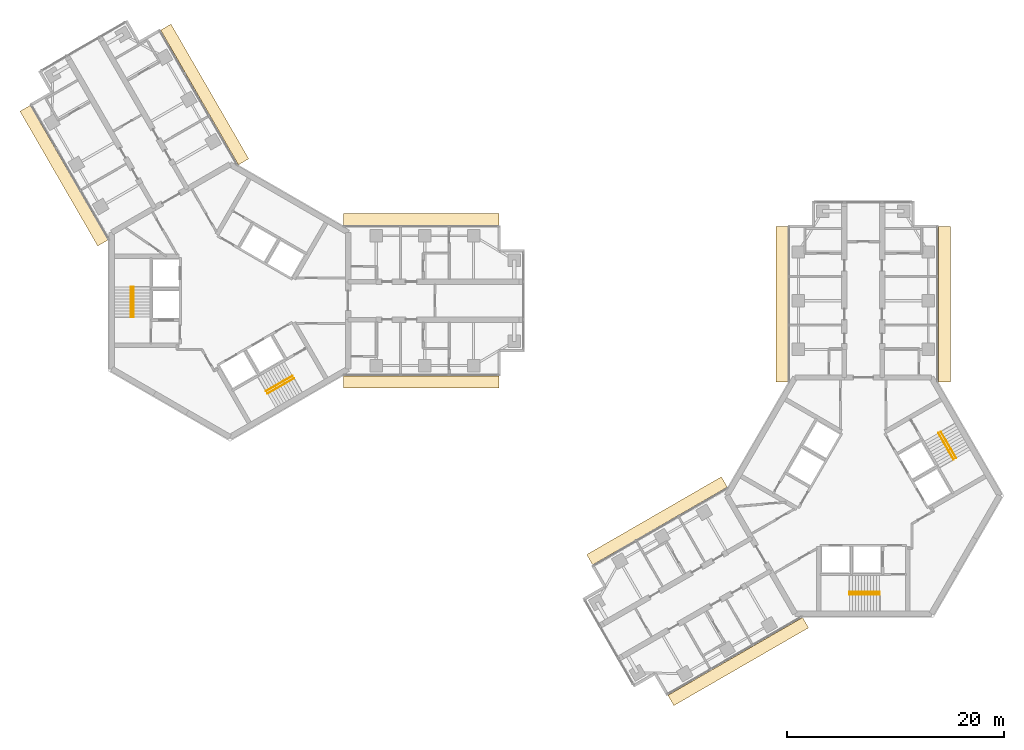
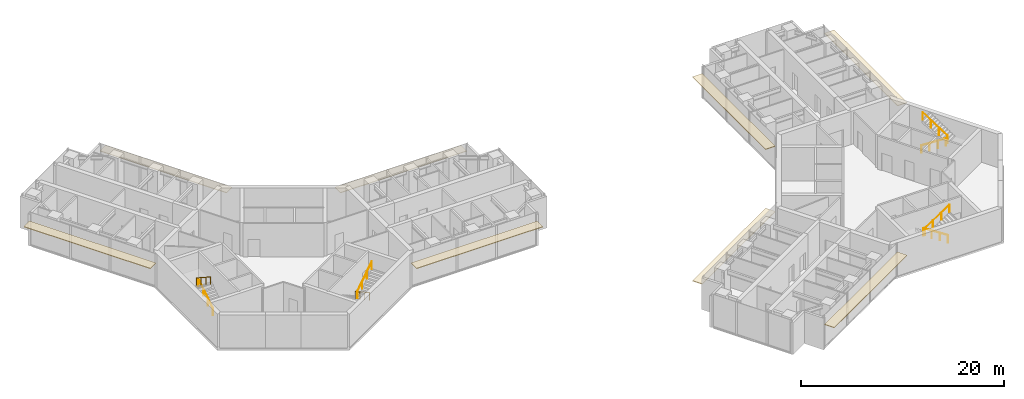
# One storey, part 17 of 17: 8 coverings, 8 railings.
"""IFC4 building model written with IfcOpenShell, lengths in metres."""

from ifc_helpers import new_model, si_unit, direction, frame, origin, origin_2d, place, context, subcontext, project, spatial, rectangle, circle, extrude, material, layer, layer_set, type_object, element, save


model = new_model("IFC4")

# Units and contexts
model_context = context("Model", 3, precision=1e-05, world=origin(), true_north=direction((0.0, 1.0)))
body_context = subcontext(model_context, "Body", "Model", "MODEL_VIEW")
ifc_project = project(units=[si_unit("LENGTHUNIT", "METRE"), si_unit("AREAUNIT", "SQUARE_METRE"), si_unit("VOLUMEUNIT", "CUBIC_METRE"), si_unit("PLANEANGLEUNIT", "RADIAN"), si_unit("MASSUNIT", "GRAM", prefix="KILO")], contexts=[model_context])

# Site, building, storey
site_placement = place(None, origin())
site = spatial("IfcSite", under=ifc_project, at=site_placement, CompositionType="ELEMENT")
building_placement = place(site_placement, origin())
building = spatial("IfcBuilding", under=site, at=building_placement, Name="Upepo Twin Towers", CompositionType="ELEMENT")
storey_placement = place(building_placement, frame((0.0, 0.0, 206.5)))
storey = spatial("IfcBuildingStorey", under=building, at=storey_placement, Name="L50", CompositionType="ELEMENT", Elevation=206.5)

# Coverings
ifc_material_1 = material(Name="Anodised aluminium, pale silver", Category="aluminium")
ifc_layer = layer(ifc_material_1, 0.080078125)
ifc_layer_set = layer_set([ifc_layer], Name="Brise-soleil blade 1100 pale aluminium")
covering_type = type_object("IfcCoveringType", Name="Brise-soleil blade 1100 pale aluminium", PredefinedType="USERDEFINED", material=ifc_layer_set)
for number, where, z_axis, x_axis, name in (
    (1, (17.66845703125, 7.50244140625, 2.909912109375), (0.0, 0.0, 1.0), (1.0, 0.0, 0.0), "T1 L50 wing A brise-soleil L"),
    (2, (17.66845703125, -7.50244140625, 2.909912109375), (0.0, 0.0, 1.0), (1.0, 0.0, 0.0), "T1 L50 wing A brise-soleil R"),
    (3, (-15.33154296875, 11.550048828125, 2.909912109375), (0.0, 0.0, 1.0), (-0.50000003023, 0.866025386331, 0.0), "T1 L50 wing B brise-soleil L"),
    (4, (-2.3369140625, 19.052734375, 2.909912109375), (0.0, 0.0, 1.0), (-0.49999996977, 0.866025421238, 0.0), "T1 L50 wing B brise-soleil R"),
    (5, (50.99755859375, -0.33154296875, 2.909912109375), (0.0, 0.0, 1.0), (0.0, 1.0, 0.0), "T2 L50 wing A brise-soleil L"),
    (6, (66.00244140625, -0.33154296875, 2.909912109375), (0.0, 0.0, 1.0), (0.0, 1.0, 0.0), "T2 L50 wing A brise-soleil R"),
    (7, (46.949951171875, -33.33154296875, 2.909912109375), (0.0, 0.0, 1.0), (-0.866025386331, -0.50000003023, 0.0), "T2 L50 wing B brise-soleil L"),
    (8, (39.447265625, -20.3369140625, 2.909912109375), (0.0, 0.0, 1.0), (-0.866025421238, -0.49999996977, 0.0), "T2 L50 wing B brise-soleil R"),
):
    element("IfcCovering", number, at=place(storey_placement, frame(where, z_axis=z_axis, x_axis=x_axis)), inside=storey, type_object=covering_type, Name=name, ObjectType="SUNSHADE", PredefinedType="USERDEFINED", context=body_context, shape_type="SweptSolid", body=[
        extrude(rectangle(XDim=14.36279296875, YDim=1.10009765625, at=origin_2d()), origin(), (0.0, 0.0, 1.0), 0.080078125),
    ])

# Railings
ifc_material_2 = material(Name="Stainless steel", Category="steel")
railing_type = type_object("IfcRailingType", Name="Stair handrail 900", PredefinedType="HANDRAIL", material=ifc_material_2)
railing_1_placement = place(storey_placement, frame((-8.89990234375, -1.52001953125, 0.181884765625)))
element("IfcRailing", 9, at=railing_1_placement, inside=storey, type_object=railing_type, Name="T1 stair S1 L50 handrail 1", PredefinedType="HANDRAIL", context=body_context, shape_type="SweptSolid", body=[
    extrude(circle(Radius=0.02392578125, at=origin_2d()), frame((0.0, 0.0, 0.8759765625), z_axis=(0.0, 0.838705829183, 0.544584733623), x_axis=(-1.0, 0.0, 0.0)), (0.0, 0.0, 1.0), 3.338623046875),
    extrude(circle(Radius=0.02099609375, at=origin_2d()), origin(), (0.0, 0.0, 1.0), 0.851806640625),
    extrude(circle(Radius=0.02099609375, at=origin_2d()), frame((0.0, 0.933349609375, 0.60595703125)), (0.0, 0.0, 1.0), 0.851806640625),
    extrude(circle(Radius=0.02099609375, at=origin_2d()), frame((0.0, 1.86669921875, 1.212158203125)), (0.0, 0.0, 1.0), 0.851806640625),
    extrude(circle(Radius=0.02099609375, at=origin_2d()), frame((0.0, 2.800048828125, 1.818115234375)), (0.0, 0.0, 1.0), 0.851806640625),
])
railing_2_placement = place(storey_placement, frame((-9.158447265625, 1.280029296875, 2.181884765625)))
element("IfcRailing", 10, at=railing_2_placement, inside=storey, type_object=railing_type, Name="T1 stair S1 L50 handrail 2", PredefinedType="HANDRAIL", context=body_context, shape_type="SweptSolid", body=[
    extrude(circle(Radius=0.02392578125, at=origin_2d()), frame((0.0, 0.0, 0.8759765625), z_axis=(0.0, -0.838705829183, 0.544584733623), x_axis=(1.0, 0.0, 0.0)), (0.0, 0.0, 1.0), 3.338623046875),
    extrude(circle(Radius=0.02099609375, at=origin_2d()), origin(), (0.0, 0.0, 1.0), 0.851806640625),
    extrude(circle(Radius=0.02099609375, at=origin_2d()), frame((0.0, -0.933349609375, 0.60595703125)), (0.0, 0.0, 1.0), 0.851806640625),
    extrude(circle(Radius=0.02099609375, at=origin_2d()), frame((0.0, -1.86669921875, 1.212158203125)), (0.0, 0.0, 1.0), 0.851806640625),
    extrude(circle(Radius=0.02099609375, at=origin_2d()), frame((0.0, -2.800048828125, 1.818115234375)), (0.0, 0.0, 1.0), 0.851806640625),
])
railing_3_placement = place(storey_placement, frame((5.766357421875, -6.947509765625, 0.181884765625)))
element("IfcRailing", 11, at=railing_3_placement, inside=storey, type_object=railing_type, Name="T1 stair S2 L50 handrail 1", PredefinedType="HANDRAIL", context=body_context, shape_type="SweptSolid", body=[
    extrude(circle(Radius=0.02392578125, at=origin_2d()), frame((0.0, 0.0, 0.8759765625), z_axis=(-0.726314030065, -0.419392968428, 0.544589265193), x_axis=(0.500049511043, -0.865996816683, 0.0)), (0.0, 0.0, 1.0), 3.338623046875),
    extrude(circle(Radius=0.02099609375, at=origin_2d()), origin(), (0.0, 0.0, 1.0), 0.851806640625),
    extrude(circle(Radius=0.02099609375, at=origin_2d()), frame((-0.808349609375, -0.466796875, 0.60595703125)), (0.0, 0.0, 1.0), 0.851806640625),
    extrude(circle(Radius=0.02099609375, at=origin_2d()), frame((-1.616455078125, -0.933349609375, 1.212158203125)), (0.0, 0.0, 1.0), 0.851806640625),
    extrude(circle(Radius=0.02099609375, at=origin_2d()), frame((-2.4248046875, -1.400146484375, 1.818115234375)), (0.0, 0.0, 1.0), 0.851806640625),
])
railing_4_placement = place(storey_placement, frame((3.470703125, -8.5712890625, 2.181884765625)))
element("IfcRailing", 12, at=railing_4_placement, inside=storey, type_object=railing_type, Name="T1 stair S2 L50 handrail 2", PredefinedType="HANDRAIL", context=body_context, shape_type="SweptSolid", body=[
    extrude(circle(Radius=0.02392578125, at=origin_2d()), frame((0.0, 0.0, 0.8759765625), z_axis=(0.726336304947, 0.419332699614, 0.544605966869), x_axis=(-0.49998411664, 0.866034573852, 0.0)), (0.0, 0.0, 1.0), 3.33837890625),
    extrude(circle(Radius=0.02099609375, at=origin_2d()), origin(), (0.0, 0.0, 1.0), 0.851806640625),
    extrude(circle(Radius=0.02099609375, at=origin_2d()), frame((0.808349609375, 0.466552734375, 0.60595703125)), (0.0, 0.0, 1.0), 0.851806640625),
    extrude(circle(Radius=0.02099609375, at=origin_2d()), frame((1.616455078125, 0.933349609375, 1.212158203125)), (0.0, 0.0, 1.0), 0.851806640625),
    extrude(circle(Radius=0.02099609375, at=origin_2d()), frame((2.4248046875, 1.39990234375, 1.818115234375)), (0.0, 0.0, 1.0), 0.851806640625),
])
railing_5_placement = place(storey_placement, frame((60.02001953125, -26.89990234375, 0.181884765625)))
element("IfcRailing", 13, at=railing_5_placement, inside=storey, type_object=railing_type, Name="T2 stair S1 L50 handrail 1", PredefinedType="HANDRAIL", context=body_context, shape_type="SweptSolid", body=[
    extrude(circle(Radius=0.02392578125, at=origin_2d()), frame((0.0, 0.0, 0.8759765625), z_axis=(-0.838705829183, 0.0, 0.544584733623), x_axis=(0.0, -1.0, 0.0)), (0.0, 0.0, 1.0), 3.338623046875),
    extrude(circle(Radius=0.02099609375, at=origin_2d()), origin(), (0.0, 0.0, 1.0), 0.851806640625),
    extrude(circle(Radius=0.02099609375, at=origin_2d()), frame((-0.933349609375, 0.0, 0.60595703125)), (0.0, 0.0, 1.0), 0.851806640625),
    extrude(circle(Radius=0.02099609375, at=origin_2d()), frame((-1.86669921875, 0.0, 1.212158203125)), (0.0, 0.0, 1.0), 0.851806640625),
    extrude(circle(Radius=0.02099609375, at=origin_2d()), frame((-2.800048828125, 0.0, 1.818115234375)), (0.0, 0.0, 1.0), 0.851806640625),
])
railing_6_placement = place(storey_placement, frame((57.219970703125, -27.158447265625, 2.181884765625)))
element("IfcRailing", 14, at=railing_6_placement, inside=storey, type_object=railing_type, Name="T2 stair S1 L50 handrail 2", PredefinedType="HANDRAIL", context=body_context, shape_type="SweptSolid", body=[
    extrude(circle(Radius=0.02392578125, at=origin_2d()), frame((0.0, 0.0, 0.8759765625), z_axis=(0.838705829183, 0.0, 0.544584733623), x_axis=(0.0, 1.0, 0.0)), (0.0, 0.0, 1.0), 3.338623046875),
    extrude(circle(Radius=0.02099609375, at=origin_2d()), origin(), (0.0, 0.0, 1.0), 0.851806640625),
    extrude(circle(Radius=0.02099609375, at=origin_2d()), frame((0.933349609375, 0.0, 0.60595703125)), (0.0, 0.0, 1.0), 0.851806640625),
    extrude(circle(Radius=0.02099609375, at=origin_2d()), frame((1.86669921875, 0.0, 1.212158203125)), (0.0, 0.0, 1.0), 0.851806640625),
    extrude(circle(Radius=0.02099609375, at=origin_2d()), frame((2.800048828125, 0.0, 1.818115234375)), (0.0, 0.0, 1.0), 0.851806640625),
])
railing_7_placement = place(storey_placement, frame((65.447509765625, -12.233642578125, 0.181884765625)))
element("IfcRailing", 15, at=railing_7_placement, inside=storey, type_object=railing_type, Name="T2 stair S2 L50 handrail 1", PredefinedType="HANDRAIL", context=body_context, shape_type="SweptSolid", body=[
    extrude(circle(Radius=0.02392578125, at=origin_2d()), frame((0.0, 0.0, 0.8759765625), z_axis=(0.419392968428, -0.726314030065, 0.544589265193), x_axis=(0.865996816683, 0.500049511043, 0.0)), (0.0, 0.0, 1.0), 3.338623046875),
    extrude(circle(Radius=0.02099609375, at=origin_2d()), origin(), (0.0, 0.0, 1.0), 0.851806640625),
    extrude(circle(Radius=0.02099609375, at=origin_2d()), frame((0.466796875, -0.808349609375, 0.60595703125)), (0.0, 0.0, 1.0), 0.851806640625),
    extrude(circle(Radius=0.02099609375, at=origin_2d()), frame((0.933349609375, -1.616455078125, 1.212158203125)), (0.0, 0.0, 1.0), 0.851806640625),
    extrude(circle(Radius=0.02099609375, at=origin_2d()), frame((1.400146484375, -2.4248046875, 1.818115234375)), (0.0, 0.0, 1.0), 0.851806640625),
])
railing_8_placement = place(storey_placement, frame((67.0712890625, -14.529296875, 2.181884765625)))
element("IfcRailing", 16, at=railing_8_placement, inside=storey, type_object=railing_type, Name="T2 stair S2 L50 handrail 2", PredefinedType="HANDRAIL", context=body_context, shape_type="SweptSolid", body=[
    extrude(circle(Radius=0.02392578125, at=origin_2d()), frame((0.0, 0.0, 0.8759765625), z_axis=(-0.419332699614, 0.726336304947, 0.544605966869), x_axis=(-0.866034573852, -0.49998411664, 0.0)), (0.0, 0.0, 1.0), 3.33837890625),
    extrude(circle(Radius=0.02099609375, at=origin_2d()), origin(), (0.0, 0.0, 1.0), 0.851806640625),
    extrude(circle(Radius=0.02099609375, at=origin_2d()), frame((-0.466552734375, 0.808349609375, 0.60595703125)), (0.0, 0.0, 1.0), 0.851806640625),
    extrude(circle(Radius=0.02099609375, at=origin_2d()), frame((-0.933349609375, 1.616455078125, 1.212158203125)), (0.0, 0.0, 1.0), 0.851806640625),
    extrude(circle(Radius=0.02099609375, at=origin_2d()), frame((-1.39990234375, 2.4248046875, 1.818115234375)), (0.0, 0.0, 1.0), 0.851806640625),
])

save(model, "model.ifc")
